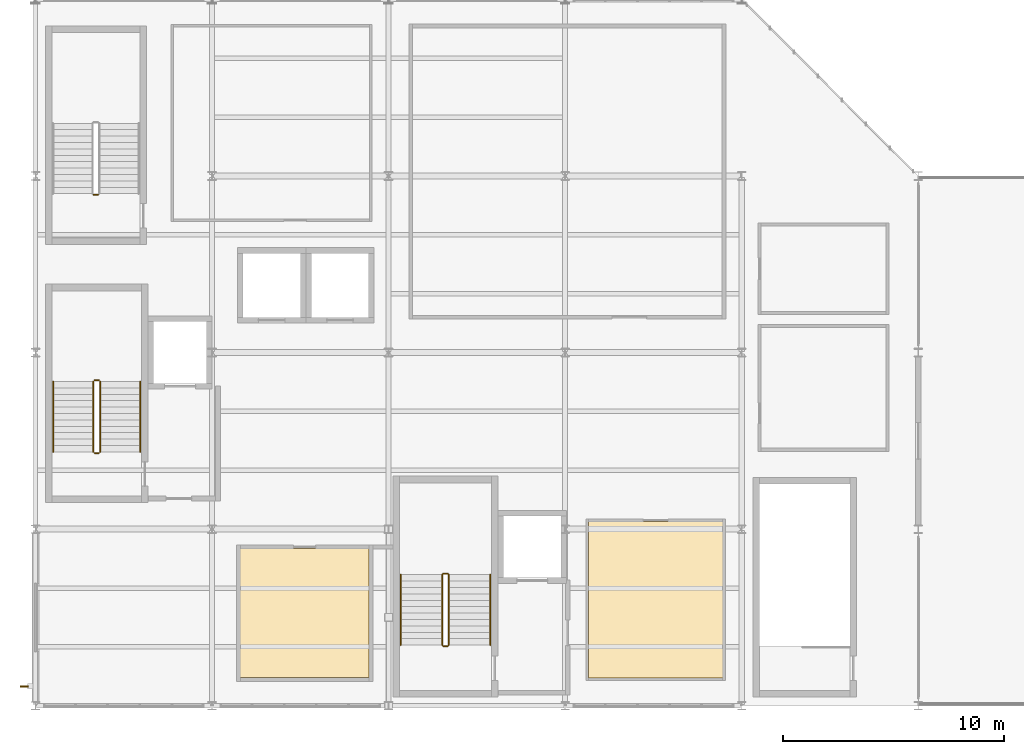
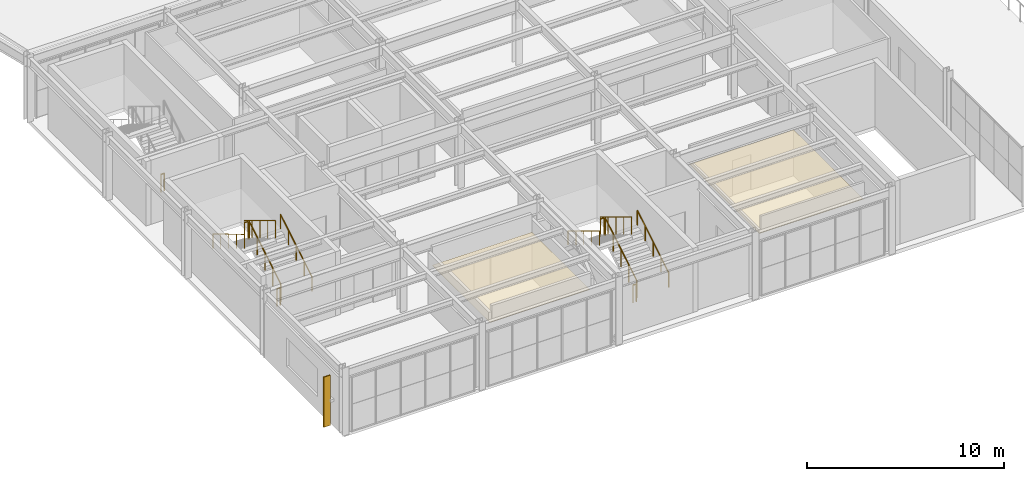
# One storey, part 25 of 27: 13 railings, 2 coverings, 1 shading device.
"""IFC4 building model written with IfcOpenShell, lengths in metres."""

from ifc_helpers import new_model, si_unit, direction, frame, origin, origin_2d, place, context, subcontext, project, spatial, polyline, rectangle, circle, outline, extrude, material, layer, layer_set, type_object, element, save


model = new_model("IFC4")

# Units and contexts
model_context = context("Model", 3, precision=1e-05, world=origin(), true_north=direction((0.0, 1.0)))
body_context = subcontext(model_context, "Body", "Model", "MODEL_VIEW")
ifc_project = project(units=[si_unit("LENGTHUNIT", "METRE"), si_unit("AREAUNIT", "SQUARE_METRE"), si_unit("VOLUMEUNIT", "CUBIC_METRE"), si_unit("PLANEANGLEUNIT", "RADIAN"), si_unit("MASSUNIT", "GRAM", prefix="KILO")], contexts=[model_context])

# Site, building, storey
site_placement = place(None, origin())
site = spatial("IfcSite", under=ifc_project, at=site_placement, CompositionType="ELEMENT")
building_placement = place(site_placement, origin())
building = spatial("IfcBuilding", under=site, at=building_placement, Name="Drelvath Fold Interchange", CompositionType="ELEMENT")
storey_placement = place(building_placement, frame((0.0, 0.0, 19.800048828125)))
storey = spatial("IfcBuildingStorey", under=building, at=storey_placement, Name="L04", CompositionType="ELEMENT", Elevation=19.800048828125)

# Coverings
ifc_material_1 = material(Name="Perforated Aluminium Acoustic Ceiling", Category="aluminium")
ifc_layer = layer(ifc_material_1, 0.01806640625, Name="Perforated Aluminium Acoustic Ceiling")
ifc_layer_set = layer_set([ifc_layer], Name="Perforated Aluminium Acoustic Ceiling")
covering_type = type_object("IfcCoveringType", Name="CV-CEIL-AL18", PredefinedType="CEILING", material=ifc_layer_set)
covering_1_placement = place(storey_placement, frame((0.0, 0.0, 2.829833984375)))
element("IfcCovering", 1, at=covering_1_placement, inside=storey, type_object=covering_type, Name="Public Information Press Briefing Room acoustic ceiling", PredefinedType="CEILING", context=body_context, shape_type="SweptSolid", body=[
    extrude(outline(polyline([(29.054931640625, 4.2548828125), (35.14501953125, 4.2548828125), (35.14501953125, 11.344970703125), (29.054931640625, 11.344970703125), (29.054931640625, 4.2548828125)])), origin(), (0.0, 0.0, 1.0), 0.02001953125),
])
covering_2_placement = place(storey_placement, frame((0.0, 0.0, 2.829833984375)))
element("IfcCovering", 2, at=covering_2_placement, inside=storey, type_object=covering_type, Name="Emergency Radio Dispatch Room acoustic ceiling", PredefinedType="CEILING", context=body_context, shape_type="SweptSolid", body=[
    extrude(outline(polyline([(13.280029296875, 4.280029296875), (19.1201171875, 4.280029296875), (19.1201171875, 10.1201171875), (13.280029296875, 10.1201171875), (13.280029296875, 4.280029296875)])), origin(), (0.0, 0.0, 1.0), 0.02001953125),
])

# Railings
ifc_material_2 = material(Name="Stainless Steel 316L", Category="steel")
railing_type_1 = type_object("IfcRailingType", Name="RL-GRD1100", PredefinedType="GUARDRAIL", material=ifc_material_2)
railing_1_placement = place(storey_placement, frame((6.929931640625, 14.5, 0.175048828125)))
element("IfcRailing", 3, at=railing_1_placement, inside=storey, type_object=railing_type_1, Name="L04 ST-01 stair guard 1", PredefinedType="GUARDRAIL", context=body_context, shape_type="SweptSolid", body=[
    extrude(circle(Radius=0.02392578125, at=origin_2d()), frame((0.0, 0.0, 1.076171875), z_axis=(0.0, 0.856206652436, 0.516633495163), x_axis=(-1.0, 0.0, 0.0)), (0.0, 0.0, 1.0), 3.7255859375),
    extrude(circle(Radius=0.02099609375, at=origin_2d()), origin(), (0.0, 0.0, 1.0), 1.052001953125),
    extrude(circle(Radius=0.02099609375, at=origin_2d()), frame((0.0, 0.79736328125, 0.481201171875)), (0.0, 0.0, 1.0), 1.052001953125),
    extrude(circle(Radius=0.02099609375, at=origin_2d()), frame((0.0, 1.594970703125, 0.96240234375)), (0.0, 0.0, 1.0), 1.052001953125),
    extrude(circle(Radius=0.02099609375, at=origin_2d()), frame((0.0, 2.392578125, 1.443603515625)), (0.0, 0.0, 1.0), 1.052001953125),
    extrude(circle(Radius=0.02099609375, at=origin_2d()), frame((0.0, 3.18994140625, 1.9248046875)), (0.0, 0.0, 1.0), 1.052001953125),
])
railing_2_placement = place(storey_placement, frame((6.8798828125, 17.739990234375, 2.099853515625)))
element("IfcRailing", 4, at=railing_2_placement, inside=storey, type_object=railing_type_1, Name="L04 ST-01 stair guard 2", PredefinedType="GUARDRAIL", context=body_context, shape_type="SweptSolid", body=[
    extrude(circle(Radius=0.02392578125, at=origin_2d()), frame((0.0, 0.0, 1.076171875), z_axis=(-1.0, 0.0, 0.0), x_axis=(0.0, -1.0, 0.0)), (0.0, 0.0, 1.0), 0.199951171875),
    extrude(circle(Radius=0.02099609375, at=origin_2d()), origin(), (0.0, 0.0, 1.0), 1.052001953125),
    extrude(circle(Radius=0.02099609375, at=origin_2d()), frame((-0.199951171875, 0.0, 0.0)), (0.0, 0.0, 1.0), 1.052001953125),
])
railing_3_placement = place(storey_placement, frame((6.6298828125, 17.68994140625, 2.27490234375)))
element("IfcRailing", 5, at=railing_3_placement, inside=storey, type_object=railing_type_1, Name="L04 ST-01 stair guard 3", PredefinedType="GUARDRAIL", context=body_context, shape_type="SweptSolid", body=[
    extrude(circle(Radius=0.02392578125, at=origin_2d()), frame((0.0, 0.0, 1.076171875), z_axis=(0.0, -0.856177665481, 0.516681531633), x_axis=(1.0, 0.0, 0.0)), (0.0, 0.0, 1.0), 3.725830078125),
    extrude(circle(Radius=0.02099609375, at=origin_2d()), origin(), (0.0, 0.0, 1.0), 1.052001953125),
    extrude(circle(Radius=0.02099609375, at=origin_2d()), frame((0.0, -0.79736328125, 0.481201171875)), (0.0, 0.0, 1.0), 1.052001953125),
    extrude(circle(Radius=0.02099609375, at=origin_2d()), frame((0.0, -1.594970703125, 0.96240234375)), (0.0, 0.0, 1.0), 1.052001953125),
    extrude(circle(Radius=0.02099609375, at=origin_2d()), frame((0.0, -2.392578125, 1.44384765625)), (0.0, 0.0, 1.0), 1.052001953125),
    extrude(circle(Radius=0.02099609375, at=origin_2d()), frame((0.0, -3.18994140625, 1.925048828125)), (0.0, 0.0, 1.0), 1.052001953125),
])
railing_4_placement = place(storey_placement, frame((6.8798828125, 14.449951171875, 0.0)))
element("IfcRailing", 6, at=railing_4_placement, inside=storey, type_object=railing_type_1, Name="L04 ST-01 stair guard 4", PredefinedType="GUARDRAIL", context=body_context, shape_type="SweptSolid", body=[
    extrude(circle(Radius=0.02392578125, at=origin_2d()), frame((0.0, 0.0, 1.076171875), z_axis=(-1.0, 0.0, 0.0), x_axis=(0.0, -1.0, 0.0)), (0.0, 0.0, 1.0), 0.199951171875),
    extrude(circle(Radius=0.02099609375, at=origin_2d()), origin(), (0.0, 0.0, 1.0), 1.052001953125),
    extrude(circle(Radius=0.02099609375, at=origin_2d()), frame((-0.199951171875, 0.0, 0.0)), (0.0, 0.0, 1.0), 1.052001953125),
])
railing_5_placement = place(storey_placement, frame((6.840087890625, 26.14990234375, 0.0)))
element("IfcRailing", 7, at=railing_5_placement, inside=storey, type_object=railing_type_1, Name="L04 ST-02 stair guard 4", PredefinedType="GUARDRAIL", context=body_context, shape_type="SweptSolid", body=[
    extrude(circle(Radius=0.02392578125, at=origin_2d()), frame((0.0, 0.0, 1.076171875), z_axis=(-1.0, 0.0, 0.0), x_axis=(0.0, -1.0, 0.0)), (0.0, 0.0, 1.0), 0.2001953125),
    extrude(circle(Radius=0.02099609375, at=origin_2d()), origin(), (0.0, 0.0, 1.0), 1.052001953125),
    extrude(circle(Radius=0.02099609375, at=origin_2d()), frame((-0.2001953125, 0.0, 0.0)), (0.0, 0.0, 1.0), 1.052001953125),
])
railing_6_placement = place(storey_placement, frame((22.72998046875, 5.75, 0.175048828125)))
element("IfcRailing", 8, at=railing_6_placement, inside=storey, type_object=railing_type_1, Name="L04 ST-03 stair guard 1", PredefinedType="GUARDRAIL", context=body_context, shape_type="SweptSolid", body=[
    extrude(circle(Radius=0.02392578125, at=origin_2d()), frame((0.0, 0.0, 1.076171875), z_axis=(0.0, 0.856206652436, 0.516633495163), x_axis=(-1.0, 0.0, 0.0)), (0.0, 0.0, 1.0), 3.7255859375),
    extrude(circle(Radius=0.02099609375, at=origin_2d()), origin(), (0.0, 0.0, 1.0), 1.052001953125),
    extrude(circle(Radius=0.02099609375, at=origin_2d()), frame((0.0, 0.79736328125, 0.481201171875)), (0.0, 0.0, 1.0), 1.052001953125),
    extrude(circle(Radius=0.02099609375, at=origin_2d()), frame((0.0, 1.594970703125, 0.96240234375)), (0.0, 0.0, 1.0), 1.052001953125),
    extrude(circle(Radius=0.02099609375, at=origin_2d()), frame((0.0, 2.392578125, 1.443603515625)), (0.0, 0.0, 1.0), 1.052001953125),
    extrude(circle(Radius=0.02099609375, at=origin_2d()), frame((0.0, 3.18994140625, 1.9248046875)), (0.0, 0.0, 1.0), 1.052001953125),
])
railing_7_placement = place(storey_placement, frame((22.679931640625, 8.989990234375, 2.099853515625)))
element("IfcRailing", 9, at=railing_7_placement, inside=storey, type_object=railing_type_1, Name="L04 ST-03 stair guard 2", PredefinedType="GUARDRAIL", context=body_context, shape_type="SweptSolid", body=[
    extrude(circle(Radius=0.02392578125, at=origin_2d()), frame((0.0, 0.0, 1.076171875), z_axis=(-1.0, 0.0, 0.0), x_axis=(0.0, -1.0, 0.0)), (0.0, 0.0, 1.0), 0.199951171875),
    extrude(circle(Radius=0.02099609375, at=origin_2d()), origin(), (0.0, 0.0, 1.0), 1.052001953125),
    extrude(circle(Radius=0.02099609375, at=origin_2d()), frame((-0.199951171875, 0.0, 0.0)), (0.0, 0.0, 1.0), 1.052001953125),
])
railing_8_placement = place(storey_placement, frame((22.429931640625, 8.93994140625, 2.27490234375)))
element("IfcRailing", 10, at=railing_8_placement, inside=storey, type_object=railing_type_1, Name="L04 ST-03 stair guard 3", PredefinedType="GUARDRAIL", context=body_context, shape_type="SweptSolid", body=[
    extrude(circle(Radius=0.02392578125, at=origin_2d()), frame((0.0, 0.0, 1.076171875), z_axis=(0.0, -0.856177665481, 0.516681531633), x_axis=(1.0, 0.0, 0.0)), (0.0, 0.0, 1.0), 3.725830078125),
    extrude(circle(Radius=0.02099609375, at=origin_2d()), origin(), (0.0, 0.0, 1.0), 1.052001953125),
    extrude(circle(Radius=0.02099609375, at=origin_2d()), frame((0.0, -0.79736328125, 0.481201171875)), (0.0, 0.0, 1.0), 1.052001953125),
    extrude(circle(Radius=0.02099609375, at=origin_2d()), frame((0.0, -1.594970703125, 0.96240234375)), (0.0, 0.0, 1.0), 1.052001953125),
    extrude(circle(Radius=0.02099609375, at=origin_2d()), frame((0.0, -2.392578125, 1.44384765625)), (0.0, 0.0, 1.0), 1.052001953125),
    extrude(circle(Radius=0.02099609375, at=origin_2d()), frame((0.0, -3.18994140625, 1.925048828125)), (0.0, 0.0, 1.0), 1.052001953125),
])
railing_9_placement = place(storey_placement, frame((22.679931640625, 5.699951171875, 0.0)))
element("IfcRailing", 11, at=railing_9_placement, inside=storey, type_object=railing_type_1, Name="L04 ST-03 stair guard 4", PredefinedType="GUARDRAIL", context=body_context, shape_type="SweptSolid", body=[
    extrude(circle(Radius=0.02392578125, at=origin_2d()), frame((0.0, 0.0, 1.076171875), z_axis=(-1.0, 0.0, 0.0), x_axis=(0.0, -1.0, 0.0)), (0.0, 0.0, 1.0), 0.199951171875),
    extrude(circle(Radius=0.02099609375, at=origin_2d()), origin(), (0.0, 0.0, 1.0), 1.052001953125),
    extrude(circle(Radius=0.02099609375, at=origin_2d()), frame((-0.199951171875, 0.0, 0.0)), (0.0, 0.0, 1.0), 1.052001953125),
])
railing_type_2 = type_object("IfcRailingType", Name="RL-HND920", PredefinedType="HANDRAIL", material=ifc_material_2)
railing_10_placement = place(storey_placement, frame((8.760009765625, 14.5, 0.175048828125)))
element("IfcRailing", 12, at=railing_10_placement, inside=storey, type_object=railing_type_2, Name="L04 ST-01 stair handrail 1", PredefinedType="HANDRAIL", context=body_context, shape_type="SweptSolid", body=[
    extrude(circle(Radius=0.02392578125, at=origin_2d()), frame((0.0, 0.0, 0.8759765625), z_axis=(0.0, 0.856206652436, 0.516633495163), x_axis=(-1.0, 0.0, 0.0)), (0.0, 0.0, 1.0), 3.7255859375),
    extrude(circle(Radius=0.02099609375, at=origin_2d()), origin(), (0.0, 0.0, 1.0), 0.851806640625),
    extrude(circle(Radius=0.02099609375, at=origin_2d()), frame((0.0, 0.79736328125, 0.481201171875)), (0.0, 0.0, 1.0), 0.851806640625),
    extrude(circle(Radius=0.02099609375, at=origin_2d()), frame((0.0, 1.594970703125, 0.96240234375)), (0.0, 0.0, 1.0), 0.851806640625),
    extrude(circle(Radius=0.02099609375, at=origin_2d()), frame((0.0, 2.392578125, 1.443603515625)), (0.0, 0.0, 1.0), 0.851806640625),
    extrude(circle(Radius=0.02099609375, at=origin_2d()), frame((0.0, 3.18994140625, 1.9248046875)), (0.0, 0.0, 1.0), 0.851806640625),
])
railing_11_placement = place(storey_placement, frame((4.800048828125, 17.68994140625, 2.27490234375)))
element("IfcRailing", 13, at=railing_11_placement, inside=storey, type_object=railing_type_2, Name="L04 ST-01 stair handrail 2", PredefinedType="HANDRAIL", context=body_context, shape_type="SweptSolid", body=[
    extrude(circle(Radius=0.02392578125, at=origin_2d()), frame((0.0, 0.0, 0.8759765625), z_axis=(0.0, -0.856177665481, 0.516681531633), x_axis=(1.0, 0.0, 0.0)), (0.0, 0.0, 1.0), 3.725830078125),
    extrude(circle(Radius=0.02099609375, at=origin_2d()), origin(), (0.0, 0.0, 1.0), 0.851806640625),
    extrude(circle(Radius=0.02099609375, at=origin_2d()), frame((0.0, -0.79736328125, 0.481201171875)), (0.0, 0.0, 1.0), 0.851806640625),
    extrude(circle(Radius=0.02099609375, at=origin_2d()), frame((0.0, -1.594970703125, 0.96240234375)), (0.0, 0.0, 1.0), 0.851806640625),
    extrude(circle(Radius=0.02099609375, at=origin_2d()), frame((0.0, -2.392578125, 1.44384765625)), (0.0, 0.0, 1.0), 0.851806640625),
    extrude(circle(Radius=0.02099609375, at=origin_2d()), frame((0.0, -3.18994140625, 1.925048828125)), (0.0, 0.0, 1.0), 0.851806640625),
])
railing_12_placement = place(storey_placement, frame((24.610107421875, 5.75, 0.175048828125)))
element("IfcRailing", 14, at=railing_12_placement, inside=storey, type_object=railing_type_2, Name="L04 ST-03 stair handrail 1", PredefinedType="HANDRAIL", context=body_context, shape_type="SweptSolid", body=[
    extrude(circle(Radius=0.02392578125, at=origin_2d()), frame((0.0, 0.0, 0.8759765625), z_axis=(0.0, 0.856206652436, 0.516633495163), x_axis=(-1.0, 0.0, 0.0)), (0.0, 0.0, 1.0), 3.7255859375),
    extrude(circle(Radius=0.02099609375, at=origin_2d()), origin(), (0.0, 0.0, 1.0), 0.851806640625),
    extrude(circle(Radius=0.02099609375, at=origin_2d()), frame((0.0, 0.79736328125, 0.481201171875)), (0.0, 0.0, 1.0), 0.851806640625),
    extrude(circle(Radius=0.02099609375, at=origin_2d()), frame((0.0, 1.594970703125, 0.96240234375)), (0.0, 0.0, 1.0), 0.851806640625),
    extrude(circle(Radius=0.02099609375, at=origin_2d()), frame((0.0, 2.392578125, 1.443603515625)), (0.0, 0.0, 1.0), 0.851806640625),
    extrude(circle(Radius=0.02099609375, at=origin_2d()), frame((0.0, 3.18994140625, 1.9248046875)), (0.0, 0.0, 1.0), 0.851806640625),
])
railing_13_placement = place(storey_placement, frame((20.550048828125, 8.93994140625, 2.27490234375)))
element("IfcRailing", 15, at=railing_13_placement, inside=storey, type_object=railing_type_2, Name="L04 ST-03 stair handrail 2", PredefinedType="HANDRAIL", context=body_context, shape_type="SweptSolid", body=[
    extrude(circle(Radius=0.02392578125, at=origin_2d()), frame((0.0, 0.0, 0.8759765625), z_axis=(0.0, -0.856177665481, 0.516681531633), x_axis=(1.0, 0.0, 0.0)), (0.0, 0.0, 1.0), 3.725830078125),
    extrude(circle(Radius=0.02099609375, at=origin_2d()), origin(), (0.0, 0.0, 1.0), 0.851806640625),
    extrude(circle(Radius=0.02099609375, at=origin_2d()), frame((0.0, -0.79736328125, 0.481201171875)), (0.0, 0.0, 1.0), 0.851806640625),
    extrude(circle(Radius=0.02099609375, at=origin_2d()), frame((0.0, -1.594970703125, 0.96240234375)), (0.0, 0.0, 1.0), 0.851806640625),
    extrude(circle(Radius=0.02099609375, at=origin_2d()), frame((0.0, -2.392578125, 1.44384765625)), (0.0, 0.0, 1.0), 0.851806640625),
    extrude(circle(Radius=0.02099609375, at=origin_2d()), frame((0.0, -3.18994140625, 1.925048828125)), (0.0, 0.0, 1.0), 0.851806640625),
])

# Shading device
ifc_material_3 = material(Name="Anodized Aluminium 6063-T6", Category="aluminium")
shading_device_type = type_object("IfcShadingDeviceType", Name="SD-FIN380", PredefinedType="JALOUSIE", material=ifc_material_3)
shading_device_placement = place(storey_placement, frame((3.492919921875, 3.882080078125, 0.099853515625), z_axis=(0.0, 0.0, 1.0), x_axis=(1.0, 0.0, 0.0)))
element("IfcShadingDevice", 16, at=shading_device_placement, inside=storey, type_object=shading_device_type, Name="Vertical aluminium solar fin 32", PredefinedType="JALOUSIE", context=body_context, shape_type="SweptSolid", body=[
    extrude(rectangle(XDim=0.3798828125, YDim=0.06494140625, at=origin_2d()), origin(), (0.0, 0.0, 1.0), 3.10009765625),
])

save(model, "model.ifc")
